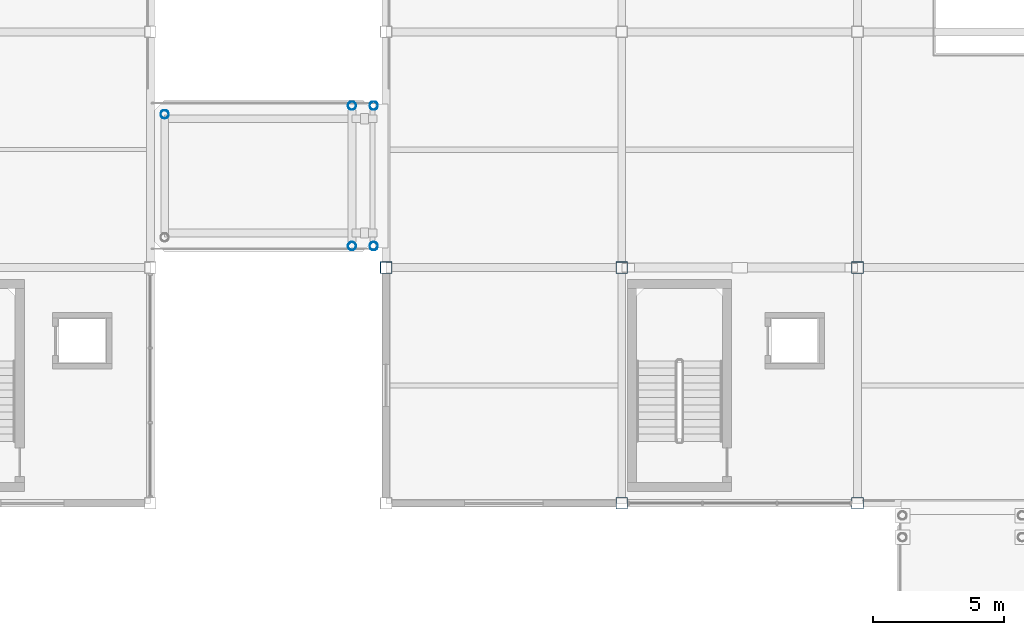
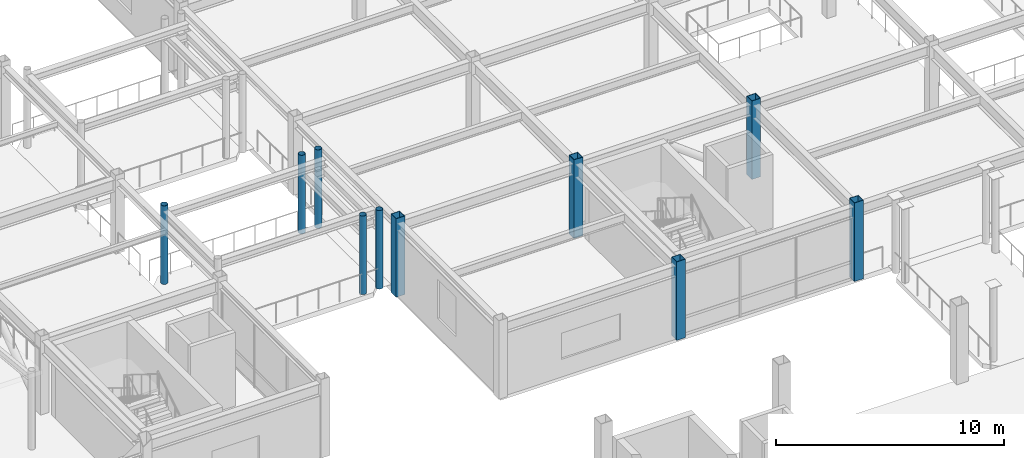
# One storey, part 9 of 105: 10 columns.
"""IFC4 building model written with IfcOpenShell, lengths in metres."""

from ifc_helpers import new_model, si_unit, direction, frame, origin, origin_2d, place, context, subcontext, project, spatial, hollow_rectangle, hollow_circle, extrude, material, material_profile, profile_set, type_object, element, save


model = new_model("IFC4")

# Units and contexts
model_context = context("Model", 3, precision=1e-05, world=origin(), true_north=direction((0.0, 1.0)))
body_context = subcontext(model_context, "Body", "Model", "MODEL_VIEW")
ifc_project = project(units=[si_unit("LENGTHUNIT", "METRE"), si_unit("AREAUNIT", "SQUARE_METRE"), si_unit("VOLUMEUNIT", "CUBIC_METRE"), si_unit("PLANEANGLEUNIT", "RADIAN"), si_unit("MASSUNIT", "GRAM", prefix="KILO")], contexts=[model_context])

# Site, building, storey
site_placement = place(None, origin())
site = spatial("IfcSite", under=ifc_project, at=site_placement, CompositionType="ELEMENT")
building_placement = place(site_placement, origin())
building = spatial("IfcBuilding", under=site, at=building_placement, Name="Suzunagisa Mobility Hub", CompositionType="ELEMENT")
storey_placement = place(building_placement, frame((0.0, 0.0, 5.10009765625)))
storey = spatial("IfcBuildingStorey", under=building, at=storey_placement, Name="L01", CompositionType="ELEMENT", Elevation=5.10009765625)

# Columns
ifc_material = material(Name="Steel SN490B", Category="steel")
ifc_material_profile_1 = material_profile(ifc_material, hollow_circle(Radius=0.1591796875, WallThickness=0.01025390625, at=origin_2d()), Name="CHS-318.5x10.3")
ifc_profile_set_1 = profile_set([ifc_material_profile_1], Name="Steel SN490B")
column_type_1 = type_object("IfcColumnType", Name="Steel Column CL-09 CHS-318.5x10.3", PredefinedType="COLUMN", material=ifc_profile_set_1)
for number, where, z_axis, x_axis, name in (
    (1, (36.550048828125, 94.85009765625, 0.0), (0.0, 0.0, 1.0), (1.0, 0.0, 0.0), "L01 Column 93"),
    (2, (43.699951171875, 89.820068359375, 0.0), (0.0, 0.0, 1.0), (1.0, 0.0, 0.0), "L01 Column 105"),
    (3, (43.699951171875, 95.179931640625, 0.0), (0.0, 0.0, 1.0), (1.0, 0.0, 0.0), "L01 Column 106"),
    (4, (44.530029296875, 89.820068359375, 0.0), (0.0, 0.0, 1.0), (1.0, 0.0, 0.0), "L01 Column 111"),
    (5, (44.530029296875, 95.179931640625, 0.0), (0.0, 0.0, 1.0), (1.0, 0.0, 0.0), "L01 Column 112"),
):
    element("IfcColumn", number, at=place(storey_placement, frame(where, z_axis=z_axis, x_axis=x_axis)), inside=storey, type_object=column_type_1, Name=name, PredefinedType="COLUMN", context=body_context, shape_type="SweptSolid", body=[
        extrude(hollow_circle(Radius=0.1591796875, WallThickness=0.01025390625, at=origin_2d()), origin(), (0.0, 0.0, 1.0), 4.199951171875),
    ])
ifc_material_profile_2 = material_profile(ifc_material, hollow_rectangle(XDim=0.449951171875, YDim=0.449951171875, WallThickness=0.02197265625, at=origin_2d()), Name="BCR-450x450x22")
ifc_profile_set_2 = profile_set([ifc_material_profile_2], Name="Steel SN490B")
column_type_2 = type_object("IfcColumnType", Name="Steel Column CL-17 BCR-450x450x22", PredefinedType="COLUMN", material=ifc_profile_set_2)
for number, where, z_axis, x_axis, name in (
    (6, (45.0, 89.0, 0.0), (0.0, 0.0, 1.0), (1.0, 0.0, 0.0), "L01 Column 119"),
    (7, (54.0, 80.0, 0.0), (0.0, 0.0, 1.0), (1.0, 0.0, 0.0), "L01 Column 129"),
    (8, (54.0, 89.0, 0.0), (0.0, 0.0, 1.0), (1.0, 0.0, 0.0), "L01 Column 130"),
    (9, (63.0, 80.0, 0.0), (0.0, 0.0, 1.0), (1.0, 0.0, 0.0), "L01 Column 138"),
    (10, (63.0, 89.0, 0.0), (0.0, 0.0, 1.0), (1.0, 0.0, 0.0), "L01 Column 139"),
):
    element("IfcColumn", number, at=place(storey_placement, frame(where, z_axis=z_axis, x_axis=x_axis)), inside=storey, type_object=column_type_2, Name=name, PredefinedType="COLUMN", context=body_context, shape_type="SweptSolid", body=[
        extrude(hollow_rectangle(XDim=0.449951171875, YDim=0.449951171875, WallThickness=0.02197265625, at=origin_2d()), origin(), (0.0, 0.0, 1.0), 4.199951171875),
    ])

save(model, "model.ifc")
